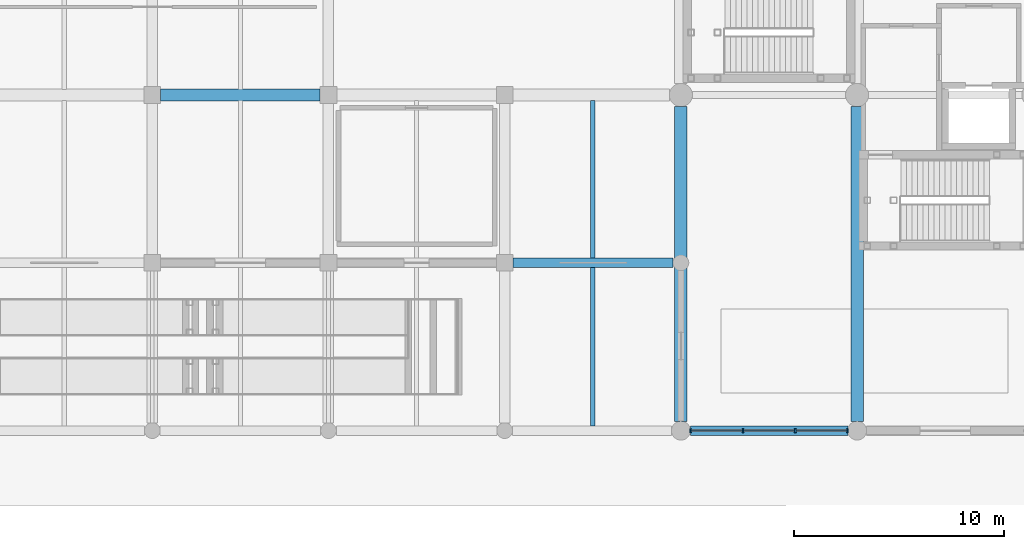
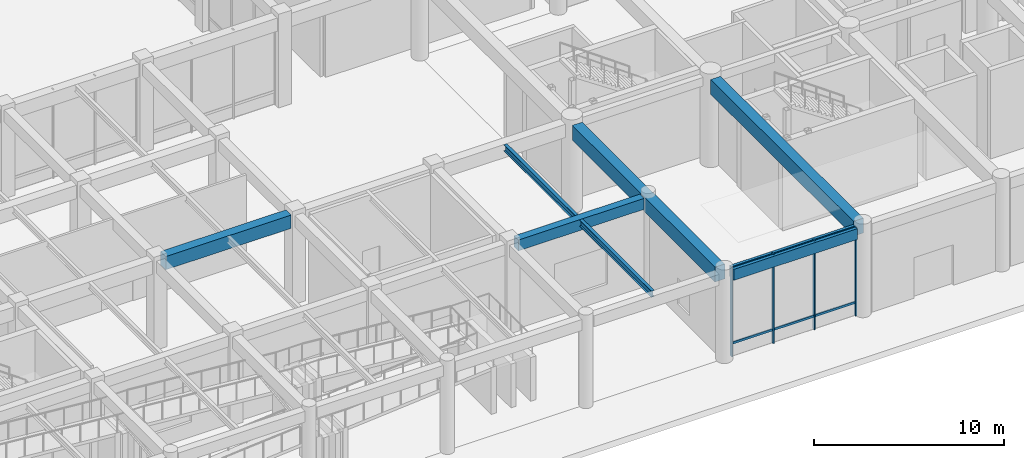
# One storey, part 22 of 76: 10 members, 7 beams, 1 element without a shape of its own.
"""IFC4 building model written with IfcOpenShell, lengths in metres."""

from ifc_helpers import new_model, si_unit, direction, frame, origin, origin_2d, place, context, subcontext, project, spatial, rectangle, i_section, extrude, material, layer, layer_set, material_profile, profile_set, type_object, element, aggregate, save


model = new_model("IFC4")

# Units and contexts
model_context = context("Model", 3, precision=1e-05, world=origin(), true_north=direction((0.0, 1.0)))
body_context = subcontext(model_context, "Body", "Model", "MODEL_VIEW")
ifc_project = project(units=[si_unit("LENGTHUNIT", "METRE"), si_unit("AREAUNIT", "SQUARE_METRE"), si_unit("VOLUMEUNIT", "CUBIC_METRE"), si_unit("PLANEANGLEUNIT", "RADIAN"), si_unit("MASSUNIT", "GRAM", prefix="KILO")], contexts=[model_context])

# Site, building, storey
site_placement = place(None, origin())
site = spatial("IfcSite", under=ifc_project, at=site_placement, CompositionType="ELEMENT")
building_placement = place(site_placement, origin())
building = spatial("IfcBuilding", under=site, at=building_placement, Name="Naruveol Harbour Congress Hotel", CompositionType="ELEMENT")
storey_placement = place(building_placement, origin())
storey = spatial("IfcBuildingStorey", under=building, at=storey_placement, Name="L00", CompositionType="ELEMENT", Elevation=0.0)

# Beams
ifc_material_1 = material(Name="Concrete C40/50", Category="concrete")
ifc_material_profile_1 = material_profile(ifc_material_1, rectangle(XDim=0.60009765625, YDim=0.949951171875, at=origin_2d()), Name="RCB-600x950")
ifc_profile_set_1 = profile_set([ifc_material_profile_1], Name="Concrete C40/50")
beam_type_1 = type_object("IfcBeamType", Name="RC LONG SPAN GIRDER 600X950", PredefinedType="BEAM", material=ifc_profile_set_1)
for number, where, z_axis, x_axis, name in (
    (1, (117.60009765625, 0.446044921875, 5.22509765625), (0.0, 1.0, 0.0), (-1.0, 0.0, 0.0), "Hotel pilotis girder L01 CB1"),
    (2, (126.0, 0.446044921875, 5.22509765625), (0.0, 1.0, 0.0), (-1.0, 0.0, 0.0), "Hotel pilotis girder L01 CB1"),
):
    element("IfcBeam", number, at=place(storey_placement, frame(where, z_axis=z_axis, x_axis=x_axis)), inside=storey, type_object=beam_type_1, Name=name, PredefinedType="BEAM", context=body_context, shape_type="SweptSolid", body=[
        extrude(rectangle(XDim=0.60009765625, YDim=0.949951171875, at=origin_2d()), origin(), (0.0, 0.0, 1.0), 15.008056640625),
    ])
ifc_material_2 = material(Name="Concrete C40/50", Category="concrete")
ifc_material_profile_2 = material_profile(ifc_material_2, rectangle(XDim=0.550048828125, YDim=0.85009765625, at=origin_2d()), Name="RCB-550x850")
ifc_profile_set_2 = profile_set([ifc_material_profile_2], Name="Concrete C40/50")
beam_type_2 = type_object("IfcBeamType", Name="RC PRIMARY GIRDER 550X850", PredefinedType="BEAM", material=ifc_profile_set_2)
beam_1_placement = place(storey_placement, frame((92.7958984375, 16.0, 5.27490234375), z_axis=(1.0, 0.0, 0.0), x_axis=(0.0, 1.0, 0.0)))
element("IfcBeam", 3, at=beam_1_placement, inside=storey, type_object=beam_type_2, Name="Floor girder L01 CB2", PredefinedType="BEAM", context=body_context, shape_type="SweptSolid", body=[
    extrude(rectangle(XDim=0.550048828125, YDim=0.85009765625, at=origin_2d()), origin(), (0.0, 0.0, 1.0), 7.608154296875),
])
ifc_material_3 = material(Name="Concrete C40/50", Category="concrete")
ifc_material_profile_3 = material_profile(ifc_material_3, rectangle(XDim=0.449951171875, YDim=0.699951171875, at=origin_2d()), Name="RCB-450x700")
ifc_profile_set_3 = profile_set([ifc_material_profile_3], Name="Concrete C40/50")
beam_type_3 = type_object("IfcBeamType", Name="RC SPANDREL BEAM 450X700", PredefinedType="SPANDREL", material=ifc_profile_set_3)
beam_2_placement = place(storey_placement, frame((109.595947265625, 8.0, 5.35009765625), z_axis=(1.0, 0.0, 0.0), x_axis=(0.0, 1.0, 0.0)))
element("IfcBeam", 4, at=beam_2_placement, inside=storey, type_object=beam_type_3, Name="Floor girder L01 SPB1", PredefinedType="SPANDREL", context=body_context, shape_type="SweptSolid", body=[
    extrude(rectangle(XDim=0.449951171875, YDim=0.699951171875, at=origin_2d()), origin(), (0.0, 0.0, 1.0), 7.633056640625),
])
beam_3_placement = place(storey_placement, frame((118.0458984375, 0.0, 5.35009765625), z_axis=(1.0, 0.0, 0.0), x_axis=(0.0, 1.0, 0.0)))
element("IfcBeam", 5, at=beam_3_placement, inside=storey, type_object=beam_type_3, Name="Hotel chord beam L01 SPB1", PredefinedType="SPANDREL", context=body_context, shape_type="SweptSolid", body=[
    extrude(rectangle(XDim=0.449951171875, YDim=0.699951171875, at=origin_2d()), origin(), (0.0, 0.0, 1.0), 7.508056640625),
])
ifc_material_4 = material(Name="Steel SN490", Category="steel")
ifc_material_profile_4 = material_profile(ifc_material_4, i_section(OverallWidth=0.199951171875, OverallDepth=0.39990234375, WebThickness=0.008056640625, FlangeThickness=0.012939453125, at=origin_2d()), Name="H-400x200x8x13")
ifc_profile_set_4 = profile_set([ifc_material_profile_4], Name="Steel SN490")
beam_type_4 = type_object("IfcBeamType", Name="STEEL SECONDARY JOIST H400", PredefinedType="JOIST", material=ifc_profile_set_4)
beam_4_placement = place(storey_placement, frame((113.39990234375, 0.220947265625, 5.5), z_axis=(0.0, 1.0, 0.0), x_axis=(-1.0, 0.0, 0.0)))
element("IfcBeam", 6, at=beam_4_placement, inside=storey, type_object=beam_type_4, Name="Secondary floor joist L01 SJ1", PredefinedType="JOIST", context=body_context, shape_type="SweptSolid", body=[
    extrude(i_section(OverallWidth=0.199951171875, OverallDepth=0.39990234375, WebThickness=0.008056640625, FlangeThickness=0.012939453125, at=origin_2d()), origin(), (0.0, 0.0, 1.0), 7.55810546875),
])
beam_5_placement = place(storey_placement, frame((113.39990234375, 8.220947265625, 5.5), z_axis=(0.0, 1.0, 0.0), x_axis=(-1.0, 0.0, 0.0)))
element("IfcBeam", 7, at=beam_5_placement, inside=storey, type_object=beam_type_4, Name="Secondary floor joist L01 SJ1", PredefinedType="JOIST", context=body_context, shape_type="SweptSolid", body=[
    extrude(i_section(OverallWidth=0.199951171875, OverallDepth=0.39990234375, WebThickness=0.008056640625, FlangeThickness=0.012939453125, at=origin_2d()), origin(), (0.0, 0.0, 1.0), 7.508056640625),
])

# Curtain wall, members
ifc_material_5 = material(Name="Low-E Curtain Wall System", Category="glass")
ifc_layer = layer(ifc_material_5, 0.179931640625)
ifc_layer_set = layer_set([ifc_layer], Name="Low-E Curtain Wall System")
curtain_wall_type = type_object("IfcCurtainWallType", Name="UNITISED CURTAIN WALL CW-V5S-46 7500X5720", PredefinedType="USERDEFINED", material=ifc_layer_set)
curtain_wall_placement = place(storey_placement, origin())
curtain_wall = element("IfcCurtainWall", 8, at=curtain_wall_placement, inside=storey, type_object=curtain_wall_type, Name="Unitised curtain wall CW-V5S-46 L00", ObjectType="UNITISED GLAZING", PredefinedType="USERDEFINED")
ifc_material_6 = material(Name="Anodised Aluminium 6063-T6", Category="aluminium")
ifc_material_profile_5 = material_profile(ifc_material_6, rectangle(XDim=0.074951171875, YDim=0.179931640625, at=origin_2d()), Name="ALU-75x180")
ifc_profile_set_5 = profile_set([ifc_material_profile_5], Name="Anodised Aluminium 6063-T6")
member_type_1 = type_object("IfcMemberType", Name="THERMAL ALUMINIUM MULLION 75X180", PredefinedType="MULLION", material=ifc_profile_set_5)
member_1_placement = place(storey_placement, frame((125.550048828125, 0.0, 0.0), z_axis=(0.0, 0.0, 1.0), x_axis=(1.0, 0.0, 0.0)))
member_1 = element("IfcMember", 9, at=member_1_placement, type_object=member_type_1, Name="Curtain wall mullion CW-L00-0126-M0", PredefinedType="MULLION", context=body_context, shape_type="SweptSolid", body=[
    extrude(rectangle(XDim=0.074951171875, YDim=0.179931640625, at=origin_2d()), origin(), (0.0, 0.0, 1.0), 5.719970703125),
])
member_2_placement = place(storey_placement, frame((123.050048828125, 0.0, 0.0), z_axis=(0.0, 0.0, 1.0), x_axis=(1.0, 0.0, 0.0)))
member_2 = element("IfcMember", 10, at=member_2_placement, type_object=member_type_1, Name="Curtain wall mullion CW-L00-0126-M1", PredefinedType="MULLION", context=body_context, shape_type="SweptSolid", body=[
    extrude(rectangle(XDim=0.074951171875, YDim=0.179931640625, at=origin_2d()), origin(), (0.0, 0.0, 1.0), 5.719970703125),
])
member_3_placement = place(storey_placement, frame((120.550048828125, 0.0, 0.0), z_axis=(0.0, 0.0, 1.0), x_axis=(1.0, 0.0, 0.0)))
member_3 = element("IfcMember", 11, at=member_3_placement, type_object=member_type_1, Name="Curtain wall mullion CW-L00-0126-M2", PredefinedType="MULLION", context=body_context, shape_type="SweptSolid", body=[
    extrude(rectangle(XDim=0.074951171875, YDim=0.179931640625, at=origin_2d()), origin(), (0.0, 0.0, 1.0), 5.719970703125),
])
member_4_placement = place(storey_placement, frame((118.050048828125, 0.0, 0.0), z_axis=(0.0, 0.0, 1.0), x_axis=(1.0, 0.0, 0.0)))
member_4 = element("IfcMember", 12, at=member_4_placement, type_object=member_type_1, Name="Curtain wall mullion CW-L00-0126-M3", PredefinedType="MULLION", context=body_context, shape_type="SweptSolid", body=[
    extrude(rectangle(XDim=0.074951171875, YDim=0.179931640625, at=origin_2d()), origin(), (0.0, 0.0, 1.0), 5.719970703125),
])
ifc_material_7 = material(Name="Anodised Aluminium 6063-T6", Category="aluminium")
ifc_material_profile_6 = material_profile(ifc_material_7, rectangle(XDim=0.074951171875, YDim=0.14990234375, at=origin_2d()), Name="ALU-75x150")
ifc_profile_set_6 = profile_set([ifc_material_profile_6], Name="Anodised Aluminium 6063-T6")
member_type_2 = type_object("IfcMemberType", Name="THERMAL ALUMINIUM TRANSOM 75X150", PredefinedType="USERDEFINED", material=ifc_profile_set_6)
member_5_placement = place(storey_placement, frame((125.510009765625, 0.0, 0.85009765625), z_axis=(-1.0, 0.0, 0.0), x_axis=(0.0, -1.0, 0.0)))
member_5 = element("IfcMember", 13, at=member_5_placement, type_object=member_type_2, Name="Curtain wall transom CW-L00-0126-T0.1", ObjectType="TRANSOM", PredefinedType="USERDEFINED", context=body_context, shape_type="SweptSolid", body=[
    extrude(rectangle(XDim=0.074951171875, YDim=0.14990234375, at=origin_2d()), origin(), (0.0, 0.0, 1.0), 2.419921875),
])
member_6_placement = place(storey_placement, frame((125.510009765625, 0.0, 5.639892578125), z_axis=(-1.0, 0.0, 0.0), x_axis=(0.0, -1.0, 0.0)))
member_6 = element("IfcMember", 14, at=member_6_placement, type_object=member_type_2, Name="Curtain wall transom CW-L00-0126-T0.2", ObjectType="TRANSOM", PredefinedType="USERDEFINED", context=body_context, shape_type="SweptSolid", body=[
    extrude(rectangle(XDim=0.074951171875, YDim=0.14990234375, at=origin_2d()), origin(), (0.0, 0.0, 1.0), 2.419921875),
])
member_7_placement = place(storey_placement, frame((123.010009765625, 0.0, 0.85009765625), z_axis=(-1.0, 0.0, 0.0), x_axis=(0.0, -1.0, 0.0)))
member_7 = element("IfcMember", 15, at=member_7_placement, type_object=member_type_2, Name="Curtain wall transom CW-L00-0126-T1.1", ObjectType="TRANSOM", PredefinedType="USERDEFINED", context=body_context, shape_type="SweptSolid", body=[
    extrude(rectangle(XDim=0.074951171875, YDim=0.14990234375, at=origin_2d()), origin(), (0.0, 0.0, 1.0), 2.419921875),
])
member_8_placement = place(storey_placement, frame((123.010009765625, 0.0, 5.639892578125), z_axis=(-1.0, 0.0, 0.0), x_axis=(0.0, -1.0, 0.0)))
member_8 = element("IfcMember", 16, at=member_8_placement, type_object=member_type_2, Name="Curtain wall transom CW-L00-0126-T1.2", ObjectType="TRANSOM", PredefinedType="USERDEFINED", context=body_context, shape_type="SweptSolid", body=[
    extrude(rectangle(XDim=0.074951171875, YDim=0.14990234375, at=origin_2d()), origin(), (0.0, 0.0, 1.0), 2.419921875),
])
member_9_placement = place(storey_placement, frame((120.510009765625, 0.0, 0.85009765625), z_axis=(-1.0, 0.0, 0.0), x_axis=(0.0, -1.0, 0.0)))
member_9 = element("IfcMember", 17, at=member_9_placement, type_object=member_type_2, Name="Curtain wall transom CW-L00-0126-T2.1", ObjectType="TRANSOM", PredefinedType="USERDEFINED", context=body_context, shape_type="SweptSolid", body=[
    extrude(rectangle(XDim=0.074951171875, YDim=0.14990234375, at=origin_2d()), origin(), (0.0, 0.0, 1.0), 2.419921875),
])
member_10_placement = place(storey_placement, frame((120.510009765625, 0.0, 5.639892578125), z_axis=(-1.0, 0.0, 0.0), x_axis=(0.0, -1.0, 0.0)))
member_10 = element("IfcMember", 18, at=member_10_placement, type_object=member_type_2, Name="Curtain wall transom CW-L00-0126-T2.2", ObjectType="TRANSOM", PredefinedType="USERDEFINED", context=body_context, shape_type="SweptSolid", body=[
    extrude(rectangle(XDim=0.074951171875, YDim=0.14990234375, at=origin_2d()), origin(), (0.0, 0.0, 1.0), 2.419921875),
])
aggregate(curtain_wall, [member_1, member_2, member_3, member_4, member_5, member_6, member_7, member_8, member_9, member_10])

save(model, "model.ifc")
